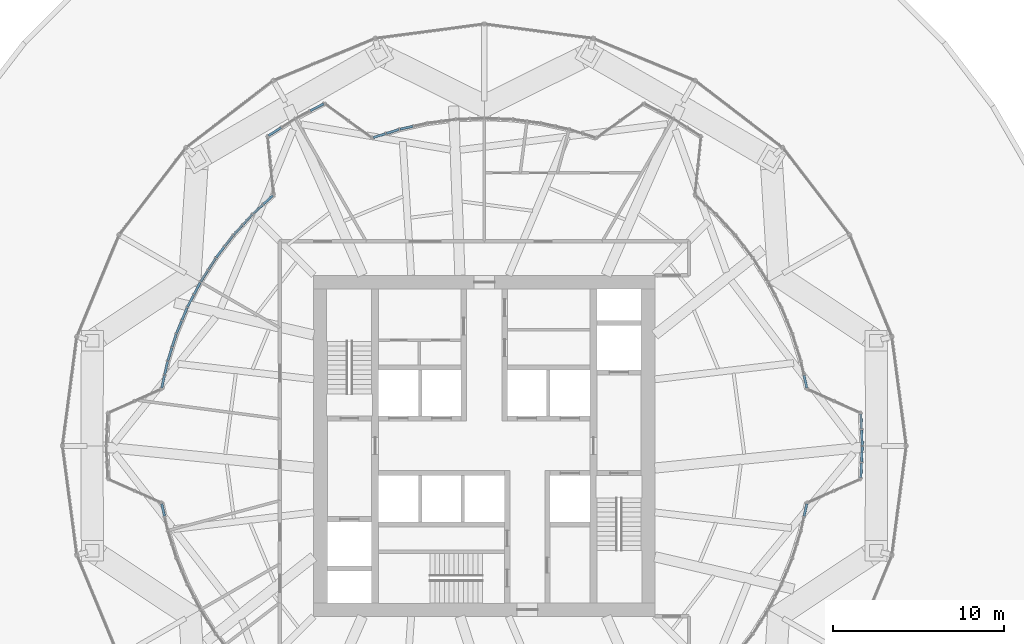
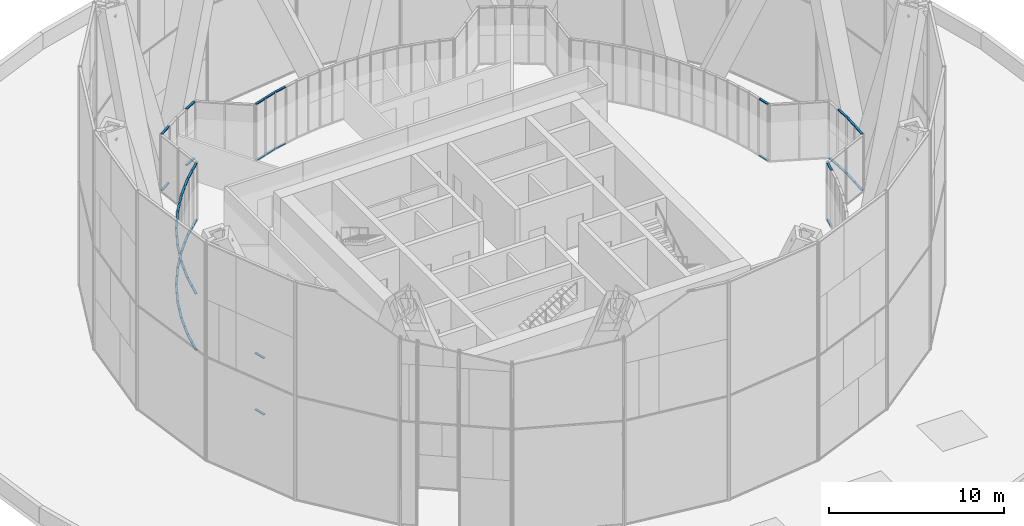
# One storey, part 13 of 27: 55 members, 17 elements without a shape of their own.
"""IFC4 building model written with IfcOpenShell, lengths in metres."""

from ifc_helpers import new_model, si_unit, direction, frame, origin, origin_2d, place, context, subcontext, project, spatial, rectangle, extrude, material, material_profile, profile_set, type_object, element, aggregate, save


model = new_model("IFC4")

# Units and contexts
model_context = context("Model", 3, precision=1e-05, world=origin(), true_north=direction((0.0, 1.0)))
body_context = subcontext(model_context, "Body", "Model", "MODEL_VIEW")
ifc_project = project(units=[si_unit("LENGTHUNIT", "METRE"), si_unit("AREAUNIT", "SQUARE_METRE"), si_unit("VOLUMEUNIT", "CUBIC_METRE"), si_unit("PLANEANGLEUNIT", "RADIAN"), si_unit("MASSUNIT", "GRAM", prefix="KILO")], contexts=[model_context])

# Site, building, storey
site_placement = place(None, origin())
site = spatial("IfcSite", under=ifc_project, at=site_placement, CompositionType="ELEMENT")
building_placement = place(site_placement, origin())
building = spatial("IfcBuilding", under=site, at=building_placement, Name="Golbaran Civic Tower", CompositionType="ELEMENT")
storey_placement = place(building_placement, frame((0.0, 0.0, 21.0)))
storey = spatial("IfcBuildingStorey", under=building, at=storey_placement, Name="L04", CompositionType="ELEMENT", Elevation=21.0)

# Curtain wall, members
ifc_material_1 = material(Name="Aluminium and glass", Category="aluminium")
curtain_wall_type = type_object("IfcCurtainWallType", Name="INNER SKIN CURTAIN WALL", PredefinedType="NOTDEFINED", material=ifc_material_1)
curtain_wall_1_placement = place(storey_placement, origin())
curtain_wall_1 = element("IfcCurtainWall", 1, at=curtain_wall_1_placement, inside=storey, type_object=curtain_wall_type, Name="Inner skin L04 facet 1 CW1", ObjectType="INNER SKIN", PredefinedType="USERDEFINED")
ifc_material_2 = material(Name="Aluminium", Category="aluminium")
ifc_material_profile = material_profile(ifc_material_2, rectangle(XDim=0.139892578125, YDim=0.06494140625, at=origin_2d()), Name="INNER SKIN CURTAIN WALL TRANSOM")
ifc_profile_set = profile_set([ifc_material_profile], Name="Aluminium")
member_type = type_object("IfcMemberType", Name="INNER SKIN CURTAIN WALL TRANSOM", PredefinedType="USERDEFINED", material=ifc_profile_set)
member_1_placement = place(storey_placement, frame((22.15869140625, 0.032470703125, 0.032470703125), z_axis=(-0.043872057348, 0.999037157759, 0.0), x_axis=(-0.999037157759, -0.043872057348, 0.0)))
member_1 = element("IfcMember", 2, at=member_1_placement, type_object=member_type, Name="CW1 transom 1.1", ObjectType="TRANSOM", PredefinedType="USERDEFINED", context=body_context, shape_type="SweptSolid", body=[
    extrude(rectangle(XDim=0.139892578125, YDim=0.06494140625, at=origin_2d()), origin(), (0.0, 0.0, 1.0), 0.901611328125),
])
member_2_placement = place(storey_placement, frame((22.15869140625, 0.032470703125, 3.967529296875), z_axis=(-0.043872057348, 0.999037157759, 0.0), x_axis=(-0.999037157759, -0.043872057348, 0.0)))
member_2 = element("IfcMember", 3, at=member_2_placement, type_object=member_type, Name="CW1 transom 1.2", ObjectType="TRANSOM", PredefinedType="USERDEFINED", context=body_context, shape_type="SweptSolid", body=[
    extrude(rectangle(XDim=0.139892578125, YDim=0.06494140625, at=origin_2d()), origin(), (0.0, 0.0, 1.0), 0.901611328125),
])
member_3_placement = place(storey_placement, frame((22.116455078125, 0.998046875, 0.032470703125), z_axis=(-0.043534733393, 0.999051914061, 0.0), x_axis=(-0.999051914061, -0.043534733393, 0.0)))
member_3 = element("IfcMember", 4, at=member_3_placement, type_object=member_type, Name="CW1 transom 2.1", ObjectType="TRANSOM", PredefinedType="USERDEFINED", context=body_context, shape_type="SweptSolid", body=[
    extrude(rectangle(XDim=0.139892578125, YDim=0.06494140625, at=origin_2d()), origin(), (0.0, 0.0, 1.0), 0.869140625),
])
aggregate(curtain_wall_1, [member_1, member_2, member_3])

curtain_wall_2_placement = place(storey_placement, origin())
curtain_wall_2 = element("IfcCurtainWall", 5, at=curtain_wall_2_placement, inside=storey, type_object=curtain_wall_type, Name="Inner skin L04 facet 3 CW1", ObjectType="INNER SKIN", PredefinedType="USERDEFINED")
member_4_placement = place(storey_placement, frame((18.908935546875, 3.400146484375, 0.032470703125), z_axis=(-0.216232378184, 0.976341927106, 0.0), x_axis=(-0.976341927106, -0.216232378184, 0.0)))
member_4 = element("IfcMember", 6, at=member_4_placement, type_object=member_type, Name="CW1 transom 1.1", ObjectType="TRANSOM", PredefinedType="USERDEFINED", context=body_context, shape_type="SweptSolid", body=[
    extrude(rectangle(XDim=0.139892578125, YDim=0.06494140625, at=origin_2d()), origin(), (0.0, 0.0, 1.0), 0.74072265625),
])
member_5_placement = place(storey_placement, frame((18.908935546875, 3.400146484375, 3.967529296875), z_axis=(-0.216232378184, 0.976341927106, 0.0), x_axis=(-0.976341927106, -0.216232378184, 0.0)))
member_5 = element("IfcMember", 7, at=member_5_placement, type_object=member_type, Name="CW1 transom 1.2", ObjectType="TRANSOM", PredefinedType="USERDEFINED", context=body_context, shape_type="SweptSolid", body=[
    extrude(rectangle(XDim=0.139892578125, YDim=0.06494140625, at=origin_2d()), origin(), (0.0, 0.0, 1.0), 0.74072265625),
])
aggregate(curtain_wall_2, [member_4, member_5])

curtain_wall_3_placement = place(storey_placement, origin())
curtain_wall_3 = element("IfcCurtainWall", 8, at=curtain_wall_3_placement, inside=storey, type_object=curtain_wall_type, Name="Inner skin L04 facet 21 CW1", ObjectType="INNER SKIN", PredefinedType="USERDEFINED")
member_6_placement = place(storey_placement, frame((-4.186767578125, 18.734619140625, 0.032470703125), z_axis=(-0.976313237324, -0.216361878864, 0.0), x_axis=(0.216361878864, -0.976313237324, 0.0)))
member_6 = element("IfcMember", 9, at=member_6_placement, type_object=member_type, Name="CW1 transom 2.1", ObjectType="TRANSOM", PredefinedType="USERDEFINED", context=body_context, shape_type="SweptSolid", body=[
    extrude(rectangle(XDim=0.139892578125, YDim=0.06494140625, at=origin_2d()), origin(), (0.0, 0.0, 1.0), 0.77294921875),
])
member_7_placement = place(storey_placement, frame((-4.186767578125, 18.734619140625, 3.967529296875), z_axis=(-0.976313237324, -0.216361878864, 0.0), x_axis=(0.216361878864, -0.976313237324, 0.0)))
member_7 = element("IfcMember", 10, at=member_7_placement, type_object=member_type, Name="CW1 transom 2.2", ObjectType="TRANSOM", PredefinedType="USERDEFINED", context=body_context, shape_type="SweptSolid", body=[
    extrude(rectangle(XDim=0.139892578125, YDim=0.06494140625, at=origin_2d()), origin(), (0.0, 0.0, 1.0), 0.77294921875),
])
aggregate(curtain_wall_3, [member_6, member_7])

curtain_wall_4_placement = place(storey_placement, origin())
curtain_wall_4 = element("IfcCurtainWall", 11, at=curtain_wall_4_placement, inside=storey, type_object=curtain_wall_type, Name="Inner skin L04 facet 22 CW1", ObjectType="INNER SKIN", PredefinedType="USERDEFINED")
member_8_placement = place(storey_placement, frame((-5.004150390625, 18.550537109375, 0.032470703125), z_axis=(-0.953735275038, -0.300647676105, 0.0), x_axis=(0.300647676105, -0.953735275038, 0.0)))
member_8 = element("IfcMember", 12, at=member_8_placement, type_object=member_type, Name="CW1 transom 1.1", ObjectType="TRANSOM", PredefinedType="USERDEFINED", context=body_context, shape_type="SweptSolid", body=[
    extrude(rectangle(XDim=0.139892578125, YDim=0.06494140625, at=origin_2d()), origin(), (0.0, 0.0, 1.0), 0.77294921875),
])
member_9_placement = place(storey_placement, frame((-5.004150390625, 18.550537109375, 3.967529296875), z_axis=(-0.953735275038, -0.300647676105, 0.0), x_axis=(0.300647676105, -0.953735275038, 0.0)))
member_9 = element("IfcMember", 13, at=member_9_placement, type_object=member_type, Name="CW1 transom 1.2", ObjectType="TRANSOM", PredefinedType="USERDEFINED", context=body_context, shape_type="SweptSolid", body=[
    extrude(rectangle(XDim=0.139892578125, YDim=0.06494140625, at=origin_2d()), origin(), (0.0, 0.0, 1.0), 0.77294921875),
])
member_10_placement = place(storey_placement, frame((-5.803466796875, 18.29833984375, 0.032470703125), z_axis=(-0.953761806135, -0.300563499376, 0.0), x_axis=(0.300563499376, -0.953761806135, 0.0)))
member_10 = element("IfcMember", 14, at=member_10_placement, type_object=member_type, Name="CW1 transom 2.1", ObjectType="TRANSOM", PredefinedType="USERDEFINED", context=body_context, shape_type="SweptSolid", body=[
    extrude(rectangle(XDim=0.139892578125, YDim=0.06494140625, at=origin_2d()), origin(), (0.0, 0.0, 1.0), 0.74072265625),
])
member_11_placement = place(storey_placement, frame((-5.803466796875, 18.29833984375, 3.967529296875), z_axis=(-0.953761806135, -0.300563499376, 0.0), x_axis=(0.300563499376, -0.953761806135, 0.0)))
member_11 = element("IfcMember", 15, at=member_11_placement, type_object=member_type, Name="CW1 transom 2.2", ObjectType="TRANSOM", PredefinedType="USERDEFINED", context=body_context, shape_type="SweptSolid", body=[
    extrude(rectangle(XDim=0.139892578125, YDim=0.06494140625, at=origin_2d()), origin(), (0.0, 0.0, 1.0), 0.74072265625),
])
aggregate(curtain_wall_4, [member_8, member_9, member_10, member_11])

curtain_wall_5_placement = place(storey_placement, origin())
curtain_wall_5 = element("IfcCurtainWall", 16, at=curtain_wall_5_placement, inside=storey, type_object=curtain_wall_type, Name="Inner skin L04 facet 24 CW1", ObjectType="INNER SKIN", PredefinedType="USERDEFINED")
member_12_placement = place(storey_placement, frame((-9.4228515625, 20.0537109375, 0.032470703125), z_axis=(-0.887005166894, -0.461759497902, 0.0), x_axis=(0.461759497902, -0.887005166894, 0.0)))
member_12 = element("IfcMember", 17, at=member_12_placement, type_object=member_type, Name="CW1 transom 1.1", ObjectType="TRANSOM", PredefinedType="USERDEFINED", context=body_context, shape_type="SweptSolid", body=[
    extrude(rectangle(XDim=0.139892578125, YDim=0.06494140625, at=origin_2d()), origin(), (0.0, 0.0, 1.0), 0.869140625),
])
member_13_placement = place(storey_placement, frame((-9.4228515625, 20.0537109375, 3.967529296875), z_axis=(-0.887005166894, -0.461759497902, 0.0), x_axis=(0.461759497902, -0.887005166894, 0.0)))
member_13 = element("IfcMember", 18, at=member_13_placement, type_object=member_type, Name="CW1 transom 1.2", ObjectType="TRANSOM", PredefinedType="USERDEFINED", context=body_context, shape_type="SweptSolid", body=[
    extrude(rectangle(XDim=0.139892578125, YDim=0.06494140625, at=origin_2d()), origin(), (0.0, 0.0, 1.0), 0.869140625),
])
aggregate(curtain_wall_5, [member_12, member_13])

curtain_wall_6_placement = place(storey_placement, origin())
curtain_wall_6 = element("IfcCurtainWall", 19, at=curtain_wall_6_placement, inside=storey, type_object=curtain_wall_type, Name="Inner skin L04 facet 25 CW1", ObjectType="INNER SKIN", PredefinedType="USERDEFINED")
member_14_placement = place(storey_placement, frame((-11.922607421875, 18.654296875, 0.032470703125), z_axis=(-0.843325869914, -0.53740252803, 0.0), x_axis=(0.53740252803, -0.843325869914, 0.0)))
member_14 = element("IfcMember", 20, at=member_14_placement, type_object=member_type, Name="CW1 transom 2.1", ObjectType="TRANSOM", PredefinedType="USERDEFINED", context=body_context, shape_type="SweptSolid", body=[
    extrude(rectangle(XDim=0.139892578125, YDim=0.06494140625, at=origin_2d()), origin(), (0.0, 0.0, 1.0), 0.869140625),
])
member_15_placement = place(storey_placement, frame((-11.922607421875, 18.654296875, 3.967529296875), z_axis=(-0.843325869914, -0.53740252803, 0.0), x_axis=(0.53740252803, -0.843325869914, 0.0)))
member_15 = element("IfcMember", 21, at=member_15_placement, type_object=member_type, Name="CW1 transom 2.2", ObjectType="TRANSOM", PredefinedType="USERDEFINED", context=body_context, shape_type="SweptSolid", body=[
    extrude(rectangle(XDim=0.139892578125, YDim=0.06494140625, at=origin_2d()), origin(), (0.0, 0.0, 1.0), 0.869140625),
])
aggregate(curtain_wall_6, [member_14, member_15])

curtain_wall_7_placement = place(storey_placement, origin())
curtain_wall_7 = element("IfcCurtainWall", 22, at=curtain_wall_7_placement, inside=storey, type_object=curtain_wall_type, Name="Inner skin L04 facet 27 CW1", ObjectType="INNER SKIN", PredefinedType="USERDEFINED")
member_16_placement = place(storey_placement, frame((-12.399169921875, 14.675537109375, 0.032470703125), z_axis=(-0.737263623889, -0.675605172338, 0.0), x_axis=(0.675605172338, -0.737263623889, 0.0)))
member_16 = element("IfcMember", 23, at=member_16_placement, type_object=member_type, Name="CW1 transom 1.1", ObjectType="TRANSOM", PredefinedType="USERDEFINED", context=body_context, shape_type="SweptSolid", body=[
    extrude(rectangle(XDim=0.139892578125, YDim=0.06494140625, at=origin_2d()), origin(), (0.0, 0.0, 1.0), 0.740478515625),
])
member_17_placement = place(storey_placement, frame((-12.399169921875, 14.675537109375, 3.967529296875), z_axis=(-0.737263623889, -0.675605172338, 0.0), x_axis=(0.675605172338, -0.737263623889, 0.0)))
member_17 = element("IfcMember", 24, at=member_17_placement, type_object=member_type, Name="CW1 transom 1.2", ObjectType="TRANSOM", PredefinedType="USERDEFINED", context=body_context, shape_type="SweptSolid", body=[
    extrude(rectangle(XDim=0.139892578125, YDim=0.06494140625, at=origin_2d()), origin(), (0.0, 0.0, 1.0), 0.740478515625),
])
member_18_placement = place(storey_placement, frame((-12.9931640625, 14.13134765625, 0.032470703125), z_axis=(-0.737232803885, -0.67563880356, 0.0), x_axis=(0.67563880356, -0.737232803885, 0.0)))
member_18 = element("IfcMember", 25, at=member_18_placement, type_object=member_type, Name="CW1 transom 2.1", ObjectType="TRANSOM", PredefinedType="USERDEFINED", context=body_context, shape_type="SweptSolid", body=[
    extrude(rectangle(XDim=0.139892578125, YDim=0.06494140625, at=origin_2d()), origin(), (0.0, 0.0, 1.0), 0.77294921875),
])
member_19_placement = place(storey_placement, frame((-12.9931640625, 14.13134765625, 3.967529296875), z_axis=(-0.737232803885, -0.67563880356, 0.0), x_axis=(0.67563880356, -0.737232803885, 0.0)))
member_19 = element("IfcMember", 26, at=member_19_placement, type_object=member_type, Name="CW1 transom 2.2", ObjectType="TRANSOM", PredefinedType="USERDEFINED", context=body_context, shape_type="SweptSolid", body=[
    extrude(rectangle(XDim=0.139892578125, YDim=0.06494140625, at=origin_2d()), origin(), (0.0, 0.0, 1.0), 0.77294921875),
])
aggregate(curtain_wall_7, [member_16, member_17, member_18, member_19])

curtain_wall_8_placement = place(storey_placement, origin())
curtain_wall_8 = element("IfcCurtainWall", 27, at=curtain_wall_8_placement, inside=storey, type_object=curtain_wall_type, Name="Inner skin L04 facet 28 CW1", ObjectType="INNER SKIN", PredefinedType="USERDEFINED")
member_20_placement = place(storey_placement, frame((-13.609130859375, 13.56298828125, 0.032470703125), z_axis=(-0.67563880356, -0.737232803885, 0.0), x_axis=(0.737232803885, -0.67563880356, 0.0)))
member_20 = element("IfcMember", 28, at=member_20_placement, type_object=member_type, Name="CW1 transom 1.1", ObjectType="TRANSOM", PredefinedType="USERDEFINED", context=body_context, shape_type="SweptSolid", body=[
    extrude(rectangle(XDim=0.139892578125, YDim=0.06494140625, at=origin_2d()), origin(), (0.0, 0.0, 1.0), 0.77294921875),
])
member_21_placement = place(storey_placement, frame((-13.609130859375, 13.56298828125, 3.967529296875), z_axis=(-0.67563880356, -0.737232803885, 0.0), x_axis=(0.737232803885, -0.67563880356, 0.0)))
member_21 = element("IfcMember", 29, at=member_21_placement, type_object=member_type, Name="CW1 transom 1.2", ObjectType="TRANSOM", PredefinedType="USERDEFINED", context=body_context, shape_type="SweptSolid", body=[
    extrude(rectangle(XDim=0.139892578125, YDim=0.06494140625, at=origin_2d()), origin(), (0.0, 0.0, 1.0), 0.77294921875),
])
member_22_placement = place(storey_placement, frame((-14.17529296875, 12.945068359375, 0.032470703125), z_axis=(-0.67563880356, -0.737232803885, 0.0), x_axis=(0.737232803885, -0.67563880356, 0.0)))
member_22 = element("IfcMember", 30, at=member_22_placement, type_object=member_type, Name="CW1 transom 2.1", ObjectType="TRANSOM", PredefinedType="USERDEFINED", context=body_context, shape_type="SweptSolid", body=[
    extrude(rectangle(XDim=0.139892578125, YDim=0.06494140625, at=origin_2d()), origin(), (0.0, 0.0, 1.0), 0.77294921875),
])
member_23_placement = place(storey_placement, frame((-14.17529296875, 12.945068359375, 3.967529296875), z_axis=(-0.67563880356, -0.737232803885, 0.0), x_axis=(0.737232803885, -0.67563880356, 0.0)))
member_23 = element("IfcMember", 31, at=member_23_placement, type_object=member_type, Name="CW1 transom 2.2", ObjectType="TRANSOM", PredefinedType="USERDEFINED", context=body_context, shape_type="SweptSolid", body=[
    extrude(rectangle(XDim=0.139892578125, YDim=0.06494140625, at=origin_2d()), origin(), (0.0, 0.0, 1.0), 0.77294921875),
])
aggregate(curtain_wall_8, [member_20, member_21, member_22, member_23])

curtain_wall_9_placement = place(storey_placement, origin())
curtain_wall_9 = element("IfcCurtainWall", 32, at=curtain_wall_9_placement, inside=storey, type_object=curtain_wall_type, Name="Inner skin L04 facet 29 CW1", ObjectType="INNER SKIN", PredefinedType="USERDEFINED")
member_24_placement = place(storey_placement, frame((-14.7392578125, 12.325439453125, 0.032470703125), z_axis=(-0.608703259192, -0.793397972173, 0.0), x_axis=(0.793397972173, -0.608703259192, 0.0)))
member_24 = element("IfcMember", 33, at=member_24_placement, type_object=member_type, Name="CW1 transom 1.1", ObjectType="TRANSOM", PredefinedType="USERDEFINED", context=body_context, shape_type="SweptSolid", body=[
    extrude(rectangle(XDim=0.139892578125, YDim=0.06494140625, at=origin_2d()), origin(), (0.0, 0.0, 1.0), 0.773193359375),
])
member_25_placement = place(storey_placement, frame((-14.7392578125, 12.325439453125, 3.967529296875), z_axis=(-0.608703259192, -0.793397972173, 0.0), x_axis=(0.793397972173, -0.608703259192, 0.0)))
member_25 = element("IfcMember", 34, at=member_25_placement, type_object=member_type, Name="CW1 transom 1.2", ObjectType="TRANSOM", PredefinedType="USERDEFINED", context=body_context, shape_type="SweptSolid", body=[
    extrude(rectangle(XDim=0.139892578125, YDim=0.06494140625, at=origin_2d()), origin(), (0.0, 0.0, 1.0), 0.773193359375),
])
member_26_placement = place(storey_placement, frame((-15.24951171875, 11.660400390625, 0.032470703125), z_axis=(-0.608855759976, -0.793280948683, 0.0), x_axis=(0.793280948683, -0.608855759976, 0.0)))
member_26 = element("IfcMember", 35, at=member_26_placement, type_object=member_type, Name="CW1 transom 2.1", ObjectType="TRANSOM", PredefinedType="USERDEFINED", context=body_context, shape_type="SweptSolid", body=[
    extrude(rectangle(XDim=0.139892578125, YDim=0.06494140625, at=origin_2d()), origin(), (0.0, 0.0, 1.0), 0.773193359375),
])
member_27_placement = place(storey_placement, frame((-15.24951171875, 11.660400390625, 3.967529296875), z_axis=(-0.608855759976, -0.793280948683, 0.0), x_axis=(0.793280948683, -0.608855759976, 0.0)))
member_27 = element("IfcMember", 36, at=member_27_placement, type_object=member_type, Name="CW1 transom 2.2", ObjectType="TRANSOM", PredefinedType="USERDEFINED", context=body_context, shape_type="SweptSolid", body=[
    extrude(rectangle(XDim=0.139892578125, YDim=0.06494140625, at=origin_2d()), origin(), (0.0, 0.0, 1.0), 0.773193359375),
])
aggregate(curtain_wall_9, [member_24, member_25, member_26, member_27])

curtain_wall_10_placement = place(storey_placement, origin())
curtain_wall_10 = element("IfcCurtainWall", 37, at=curtain_wall_10_placement, inside=storey, type_object=curtain_wall_type, Name="Inner skin L04 facet 30 CW1", ObjectType="INNER SKIN", PredefinedType="USERDEFINED")
member_28_placement = place(storey_placement, frame((-15.757568359375, 10.993896484375, 0.032470703125), z_axis=(-0.537161531377, -0.843479394655, 0.0), x_axis=(0.843479394655, -0.537161531377, 0.0)))
member_28 = element("IfcMember", 38, at=member_28_placement, type_object=member_type, Name="CW1 transom 1.1", ObjectType="TRANSOM", PredefinedType="USERDEFINED", context=body_context, shape_type="SweptSolid", body=[
    extrude(rectangle(XDim=0.139892578125, YDim=0.06494140625, at=origin_2d()), origin(), (0.0, 0.0, 1.0), 0.773193359375),
])
member_29_placement = place(storey_placement, frame((-15.757568359375, 10.993896484375, 3.967529296875), z_axis=(-0.537161531377, -0.843479394655, 0.0), x_axis=(0.843479394655, -0.537161531377, 0.0)))
member_29 = element("IfcMember", 39, at=member_29_placement, type_object=member_type, Name="CW1 transom 1.2", ObjectType="TRANSOM", PredefinedType="USERDEFINED", context=body_context, shape_type="SweptSolid", body=[
    extrude(rectangle(XDim=0.139892578125, YDim=0.06494140625, at=origin_2d()), origin(), (0.0, 0.0, 1.0), 0.773193359375),
])
member_30_placement = place(storey_placement, frame((-16.207763671875, 10.286865234375, 0.032470703125), z_axis=(-0.537529268504, -0.843245092189, 0.0), x_axis=(0.843245092189, -0.537529268504, 0.0)))
member_30 = element("IfcMember", 40, at=member_30_placement, type_object=member_type, Name="CW1 transom 2.1", ObjectType="TRANSOM", PredefinedType="USERDEFINED", context=body_context, shape_type="SweptSolid", body=[
    extrude(rectangle(XDim=0.139892578125, YDim=0.06494140625, at=origin_2d()), origin(), (0.0, 0.0, 1.0), 0.77294921875),
])
member_31_placement = place(storey_placement, frame((-16.207763671875, 10.286865234375, 3.967529296875), z_axis=(-0.537529268504, -0.843245092189, 0.0), x_axis=(0.843245092189, -0.537529268504, 0.0)))
member_31 = element("IfcMember", 41, at=member_31_placement, type_object=member_type, Name="CW1 transom 2.2", ObjectType="TRANSOM", PredefinedType="USERDEFINED", context=body_context, shape_type="SweptSolid", body=[
    extrude(rectangle(XDim=0.139892578125, YDim=0.06494140625, at=origin_2d()), origin(), (0.0, 0.0, 1.0), 0.77294921875),
])
aggregate(curtain_wall_10, [member_28, member_29, member_30, member_31])

curtain_wall_11_placement = place(storey_placement, origin())
curtain_wall_11 = element("IfcCurtainWall", 42, at=curtain_wall_11_placement, inside=storey, type_object=curtain_wall_type, Name="Inner skin L04 facet 31 CW1", ObjectType="INNER SKIN", PredefinedType="USERDEFINED")
member_32_placement = place(storey_placement, frame((-16.65576171875, 9.57861328125, 0.032470703125), z_axis=(-0.461680821469, -0.887046120045, 0.0), x_axis=(0.887046120045, -0.461680821469, 0.0)))
member_32 = element("IfcMember", 43, at=member_32_placement, type_object=member_type, Name="CW1 transom 1.1", ObjectType="TRANSOM", PredefinedType="USERDEFINED", context=body_context, shape_type="SweptSolid", body=[
    extrude(rectangle(XDim=0.139892578125, YDim=0.06494140625, at=origin_2d()), origin(), (0.0, 0.0, 1.0), 0.773193359375),
])
member_33_placement = place(storey_placement, frame((-16.65576171875, 9.57861328125, 3.967529296875), z_axis=(-0.461680821469, -0.887046120045, 0.0), x_axis=(0.887046120045, -0.461680821469, 0.0)))
member_33 = element("IfcMember", 44, at=member_33_placement, type_object=member_type, Name="CW1 transom 1.2", ObjectType="TRANSOM", PredefinedType="USERDEFINED", context=body_context, shape_type="SweptSolid", body=[
    extrude(rectangle(XDim=0.139892578125, YDim=0.06494140625, at=origin_2d()), origin(), (0.0, 0.0, 1.0), 0.773193359375),
])
member_34_placement = place(storey_placement, frame((-17.042724609375, 8.835205078125, 0.032470703125), z_axis=(-0.461680821469, -0.887046120045, 0.0), x_axis=(0.887046120045, -0.461680821469, 0.0)))
member_34 = element("IfcMember", 45, at=member_34_placement, type_object=member_type, Name="CW1 transom 2.1", ObjectType="TRANSOM", PredefinedType="USERDEFINED", context=body_context, shape_type="SweptSolid", body=[
    extrude(rectangle(XDim=0.139892578125, YDim=0.06494140625, at=origin_2d()), origin(), (0.0, 0.0, 1.0), 0.773193359375),
])
member_35_placement = place(storey_placement, frame((-17.042724609375, 8.835205078125, 3.967529296875), z_axis=(-0.461680821469, -0.887046120045, 0.0), x_axis=(0.887046120045, -0.461680821469, 0.0)))
member_35 = element("IfcMember", 46, at=member_35_placement, type_object=member_type, Name="CW1 transom 2.2", ObjectType="TRANSOM", PredefinedType="USERDEFINED", context=body_context, shape_type="SweptSolid", body=[
    extrude(rectangle(XDim=0.139892578125, YDim=0.06494140625, at=origin_2d()), origin(), (0.0, 0.0, 1.0), 0.773193359375),
])
aggregate(curtain_wall_11, [member_32, member_33, member_34, member_35])

curtain_wall_12_placement = place(storey_placement, origin())
curtain_wall_12 = element("IfcCurtainWall", 47, at=curtain_wall_12_placement, inside=storey, type_object=curtain_wall_type, Name="Inner skin L04 facet 32 CW1", ObjectType="INNER SKIN", PredefinedType="USERDEFINED")
member_36_placement = place(storey_placement, frame((-17.42724609375, 8.090576171875, 0.032470703125), z_axis=(-0.382416872552, -0.923989900155, 0.0), x_axis=(0.923989900155, -0.382416872552, 0.0)))
member_36 = element("IfcMember", 48, at=member_36_placement, type_object=member_type, Name="CW1 transom 1.1", ObjectType="TRANSOM", PredefinedType="USERDEFINED", context=body_context, shape_type="SweptSolid", body=[
    extrude(rectangle(XDim=0.139892578125, YDim=0.06494140625, at=origin_2d()), origin(), (0.0, 0.0, 1.0), 0.773193359375),
])
member_37_placement = place(storey_placement, frame((-17.42724609375, 8.090576171875, 3.967529296875), z_axis=(-0.382416872552, -0.923989900155, 0.0), x_axis=(0.923989900155, -0.382416872552, 0.0)))
member_37 = element("IfcMember", 49, at=member_37_placement, type_object=member_type, Name="CW1 transom 1.2", ObjectType="TRANSOM", PredefinedType="USERDEFINED", context=body_context, shape_type="SweptSolid", body=[
    extrude(rectangle(XDim=0.139892578125, YDim=0.06494140625, at=origin_2d()), origin(), (0.0, 0.0, 1.0), 0.773193359375),
])
member_38_placement = place(storey_placement, frame((-17.747802734375, 7.316162109375, 0.032470703125), z_axis=(-0.38279809258, -0.923832030359, 0.0), x_axis=(0.923832030359, -0.38279809258, 0.0)))
member_38 = element("IfcMember", 50, at=member_38_placement, type_object=member_type, Name="CW1 transom 2.1", ObjectType="TRANSOM", PredefinedType="USERDEFINED", context=body_context, shape_type="SweptSolid", body=[
    extrude(rectangle(XDim=0.139892578125, YDim=0.06494140625, at=origin_2d()), origin(), (0.0, 0.0, 1.0), 0.77294921875),
])
member_39_placement = place(storey_placement, frame((-17.747802734375, 7.316162109375, 3.967529296875), z_axis=(-0.38279809258, -0.923832030359, 0.0), x_axis=(0.923832030359, -0.38279809258, 0.0)))
member_39 = element("IfcMember", 51, at=member_39_placement, type_object=member_type, Name="CW1 transom 2.2", ObjectType="TRANSOM", PredefinedType="USERDEFINED", context=body_context, shape_type="SweptSolid", body=[
    extrude(rectangle(XDim=0.139892578125, YDim=0.06494140625, at=origin_2d()), origin(), (0.0, 0.0, 1.0), 0.77294921875),
])
aggregate(curtain_wall_12, [member_36, member_37, member_38, member_39])

curtain_wall_13_placement = place(storey_placement, origin())
curtain_wall_13 = element("IfcCurtainWall", 52, at=curtain_wall_13_placement, inside=storey, type_object=curtain_wall_type, Name="Inner skin L04 facet 33 CW1", ObjectType="INNER SKIN", PredefinedType="USERDEFINED")
member_40_placement = place(storey_placement, frame((-18.06591796875, 6.541015625, 0.032470703125), z_axis=(-0.300557148234, -0.953763807578, 0.0), x_axis=(0.953763807578, -0.300557148234, 0.0)))
member_40 = element("IfcMember", 53, at=member_40_placement, type_object=member_type, Name="CW1 transom 1.1", ObjectType="TRANSOM", PredefinedType="USERDEFINED", context=body_context, shape_type="SweptSolid", body=[
    extrude(rectangle(XDim=0.139892578125, YDim=0.06494140625, at=origin_2d()), origin(), (0.0, 0.0, 1.0), 0.773193359375),
])
member_41_placement = place(storey_placement, frame((-18.06591796875, 6.541015625, 3.967529296875), z_axis=(-0.300557148234, -0.953763807578, 0.0), x_axis=(0.953763807578, -0.300557148234, 0.0)))
member_41 = element("IfcMember", 54, at=member_41_placement, type_object=member_type, Name="CW1 transom 1.2", ObjectType="TRANSOM", PredefinedType="USERDEFINED", context=body_context, shape_type="SweptSolid", body=[
    extrude(rectangle(XDim=0.139892578125, YDim=0.06494140625, at=origin_2d()), origin(), (0.0, 0.0, 1.0), 0.773193359375),
])
member_42_placement = place(storey_placement, frame((-18.318115234375, 5.741455078125, 0.032470703125), z_axis=(-0.300647676105, -0.953735275038, 0.0), x_axis=(0.953735275038, -0.300647676105, 0.0)))
member_42 = element("IfcMember", 55, at=member_42_placement, type_object=member_type, Name="CW1 transom 2.1", ObjectType="TRANSOM", PredefinedType="USERDEFINED", context=body_context, shape_type="SweptSolid", body=[
    extrude(rectangle(XDim=0.139892578125, YDim=0.06494140625, at=origin_2d()), origin(), (0.0, 0.0, 1.0), 0.77294921875),
])
member_43_placement = place(storey_placement, frame((-18.318115234375, 5.741455078125, 3.967529296875), z_axis=(-0.300647676105, -0.953735275038, 0.0), x_axis=(0.953735275038, -0.300647676105, 0.0)))
member_43 = element("IfcMember", 56, at=member_43_placement, type_object=member_type, Name="CW1 transom 2.2", ObjectType="TRANSOM", PredefinedType="USERDEFINED", context=body_context, shape_type="SweptSolid", body=[
    extrude(rectangle(XDim=0.139892578125, YDim=0.06494140625, at=origin_2d()), origin(), (0.0, 0.0, 1.0), 0.77294921875),
])
aggregate(curtain_wall_13, [member_40, member_41, member_42, member_43])

curtain_wall_14_placement = place(storey_placement, origin())
curtain_wall_14 = element("IfcCurtainWall", 57, at=curtain_wall_14_placement, inside=storey, type_object=curtain_wall_type, Name="Inner skin L04 facet 34 CW1", ObjectType="INNER SKIN", PredefinedType="USERDEFINED")
member_44_placement = place(storey_placement, frame((-18.5673828125, 4.94140625, 0.032470703125), z_axis=(-0.216361878864, -0.976313237324, 0.0), x_axis=(0.976313237324, -0.216361878864, 0.0)))
member_44 = element("IfcMember", 58, at=member_44_placement, type_object=member_type, Name="CW1 transom 1.1", ObjectType="TRANSOM", PredefinedType="USERDEFINED", context=body_context, shape_type="SweptSolid", body=[
    extrude(rectangle(XDim=0.139892578125, YDim=0.06494140625, at=origin_2d()), origin(), (0.0, 0.0, 1.0), 0.77294921875),
])
member_45_placement = place(storey_placement, frame((-18.5673828125, 4.94140625, 3.967529296875), z_axis=(-0.216361878864, -0.976313237324, 0.0), x_axis=(0.976313237324, -0.216361878864, 0.0)))
member_45 = element("IfcMember", 59, at=member_45_placement, type_object=member_type, Name="CW1 transom 1.2", ObjectType="TRANSOM", PredefinedType="USERDEFINED", context=body_context, shape_type="SweptSolid", body=[
    extrude(rectangle(XDim=0.139892578125, YDim=0.06494140625, at=origin_2d()), origin(), (0.0, 0.0, 1.0), 0.77294921875),
])
member_46_placement = place(storey_placement, frame((-18.748779296875, 4.123291015625, 0.032470703125), z_axis=(-0.216232378184, -0.976341927106, 0.0), x_axis=(0.976341927106, -0.216232378184, 0.0)))
member_46 = element("IfcMember", 60, at=member_46_placement, type_object=member_type, Name="CW1 transom 2.1", ObjectType="TRANSOM", PredefinedType="USERDEFINED", context=body_context, shape_type="SweptSolid", body=[
    extrude(rectangle(XDim=0.139892578125, YDim=0.06494140625, at=origin_2d()), origin(), (0.0, 0.0, 1.0), 0.74072265625),
])
member_47_placement = place(storey_placement, frame((-18.748779296875, 4.123291015625, 3.967529296875), z_axis=(-0.216232378184, -0.976341927106, 0.0), x_axis=(0.976341927106, -0.216232378184, 0.0)))
member_47 = element("IfcMember", 61, at=member_47_placement, type_object=member_type, Name="CW1 transom 2.2", ObjectType="TRANSOM", PredefinedType="USERDEFINED", context=body_context, shape_type="SweptSolid", body=[
    extrude(rectangle(XDim=0.139892578125, YDim=0.06494140625, at=origin_2d()), origin(), (0.0, 0.0, 1.0), 0.74072265625),
])
aggregate(curtain_wall_14, [member_44, member_45, member_46, member_47])

curtain_wall_15_placement = place(storey_placement, origin())
curtain_wall_15 = element("IfcCurtainWall", 62, at=curtain_wall_15_placement, inside=storey, type_object=curtain_wall_type, Name="Inner skin L04 facet 39 CW1", ObjectType="INNER SKIN", PredefinedType="USERDEFINED")
member_48_placement = place(storey_placement, frame((-18.908935546875, -3.400146484375, 0.032470703125), z_axis=(0.216232378184, -0.976341927106, 0.0), x_axis=(0.976341927106, 0.216232378184, 0.0)))
member_48 = element("IfcMember", 63, at=member_48_placement, type_object=member_type, Name="CW1 transom 1.1", ObjectType="TRANSOM", PredefinedType="USERDEFINED", context=body_context, shape_type="SweptSolid", body=[
    extrude(rectangle(XDim=0.139892578125, YDim=0.06494140625, at=origin_2d()), origin(), (0.0, 0.0, 1.0), 0.74072265625),
])
member_49_placement = place(storey_placement, frame((-18.908935546875, -3.400146484375, 3.967529296875), z_axis=(0.216232378184, -0.976341927106, 0.0), x_axis=(0.976341927106, 0.216232378184, 0.0)))
member_49 = element("IfcMember", 64, at=member_49_placement, type_object=member_type, Name="CW1 transom 1.2", ObjectType="TRANSOM", PredefinedType="USERDEFINED", context=body_context, shape_type="SweptSolid", body=[
    extrude(rectangle(XDim=0.139892578125, YDim=0.06494140625, at=origin_2d()), origin(), (0.0, 0.0, 1.0), 0.74072265625),
])
aggregate(curtain_wall_15, [member_48, member_49])

curtain_wall_16_placement = place(storey_placement, origin())
curtain_wall_16 = element("IfcCurtainWall", 65, at=curtain_wall_16_placement, inside=storey, type_object=curtain_wall_type, Name="Inner skin L04 facet 70 CW1", ObjectType="INNER SKIN", PredefinedType="USERDEFINED")
member_50_placement = place(storey_placement, frame((18.748779296875, -4.123291015625, 0.032470703125), z_axis=(0.216232378184, 0.976341927106, 0.0), x_axis=(-0.976341927106, 0.216232378184, 0.0)))
member_50 = element("IfcMember", 66, at=member_50_placement, type_object=member_type, Name="CW1 transom 2.1", ObjectType="TRANSOM", PredefinedType="USERDEFINED", context=body_context, shape_type="SweptSolid", body=[
    extrude(rectangle(XDim=0.139892578125, YDim=0.06494140625, at=origin_2d()), origin(), (0.0, 0.0, 1.0), 0.74072265625),
])
member_51_placement = place(storey_placement, frame((18.748779296875, -4.123291015625, 3.967529296875), z_axis=(0.216232378184, 0.976341927106, 0.0), x_axis=(-0.976341927106, 0.216232378184, 0.0)))
member_51 = element("IfcMember", 67, at=member_51_placement, type_object=member_type, Name="CW1 transom 2.2", ObjectType="TRANSOM", PredefinedType="USERDEFINED", context=body_context, shape_type="SweptSolid", body=[
    extrude(rectangle(XDim=0.139892578125, YDim=0.06494140625, at=origin_2d()), origin(), (0.0, 0.0, 1.0), 0.74072265625),
])
aggregate(curtain_wall_16, [member_50, member_51])

curtain_wall_17_placement = place(storey_placement, origin())
curtain_wall_17 = element("IfcCurtainWall", 68, at=curtain_wall_17_placement, inside=storey, type_object=curtain_wall_type, Name="Inner skin L04 facet 72 CW1", ObjectType="INNER SKIN", PredefinedType="USERDEFINED")
member_52_placement = place(storey_placement, frame((22.07861328125, -1.866455078125, 0.032470703125), z_axis=(0.043534733393, 0.999051914061, 0.0), x_axis=(-0.999051914061, 0.043534733393, 0.0)))
member_52 = element("IfcMember", 69, at=member_52_placement, type_object=member_type, Name="CW1 transom 1.1", ObjectType="TRANSOM", PredefinedType="USERDEFINED", context=body_context, shape_type="SweptSolid", body=[
    extrude(rectangle(XDim=0.139892578125, YDim=0.06494140625, at=origin_2d()), origin(), (0.0, 0.0, 1.0), 0.869140625),
])
member_53_placement = place(storey_placement, frame((22.07861328125, -1.866455078125, 3.967529296875), z_axis=(0.043534733393, 0.999051914061, 0.0), x_axis=(-0.999051914061, 0.043534733393, 0.0)))
member_53 = element("IfcMember", 70, at=member_53_placement, type_object=member_type, Name="CW1 transom 1.2", ObjectType="TRANSOM", PredefinedType="USERDEFINED", context=body_context, shape_type="SweptSolid", body=[
    extrude(rectangle(XDim=0.139892578125, YDim=0.06494140625, at=origin_2d()), origin(), (0.0, 0.0, 1.0), 0.869140625),
])
member_54_placement = place(storey_placement, frame((22.119140625, -0.93310546875, 0.032470703125), z_axis=(0.043872057348, 0.999037157759, 0.0), x_axis=(-0.999037157759, 0.043872057348, 0.0)))
member_54 = element("IfcMember", 71, at=member_54_placement, type_object=member_type, Name="CW1 transom 2.1", ObjectType="TRANSOM", PredefinedType="USERDEFINED", context=body_context, shape_type="SweptSolid", body=[
    extrude(rectangle(XDim=0.139892578125, YDim=0.06494140625, at=origin_2d()), origin(), (0.0, 0.0, 1.0), 0.901611328125),
])
member_55_placement = place(storey_placement, frame((22.119140625, -0.93310546875, 3.967529296875), z_axis=(0.043872057348, 0.999037157759, 0.0), x_axis=(-0.999037157759, 0.043872057348, 0.0)))
member_55 = element("IfcMember", 72, at=member_55_placement, type_object=member_type, Name="CW1 transom 2.2", ObjectType="TRANSOM", PredefinedType="USERDEFINED", context=body_context, shape_type="SweptSolid", body=[
    extrude(rectangle(XDim=0.139892578125, YDim=0.06494140625, at=origin_2d()), origin(), (0.0, 0.0, 1.0), 0.901611328125),
])
aggregate(curtain_wall_17, [member_52, member_53, member_54, member_55])

save(model, "model.ifc")
